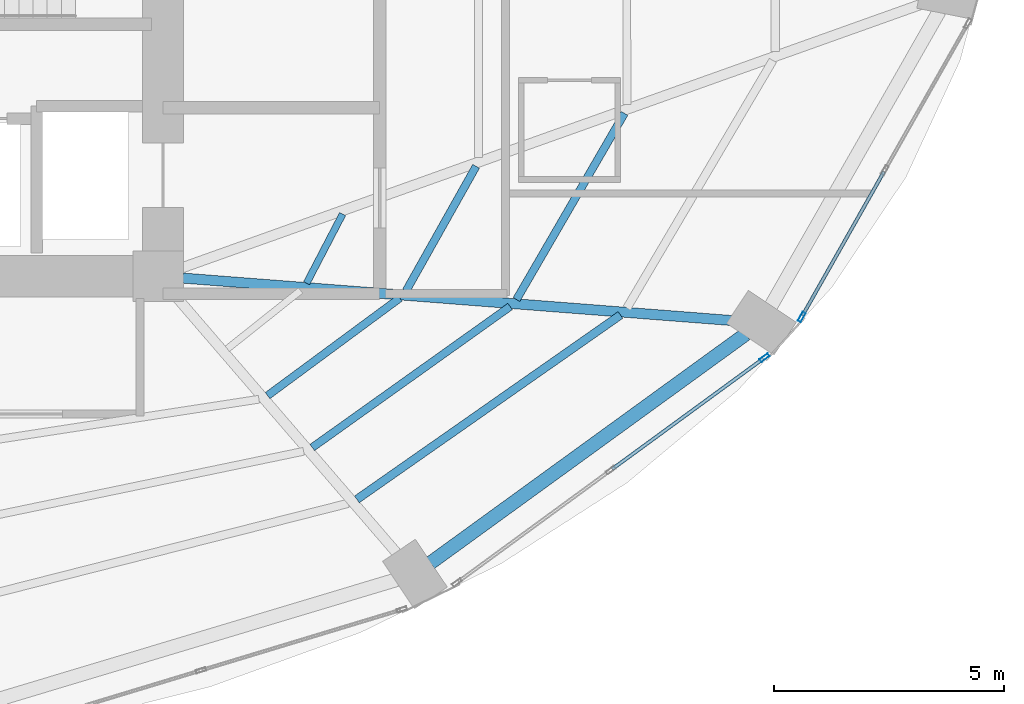
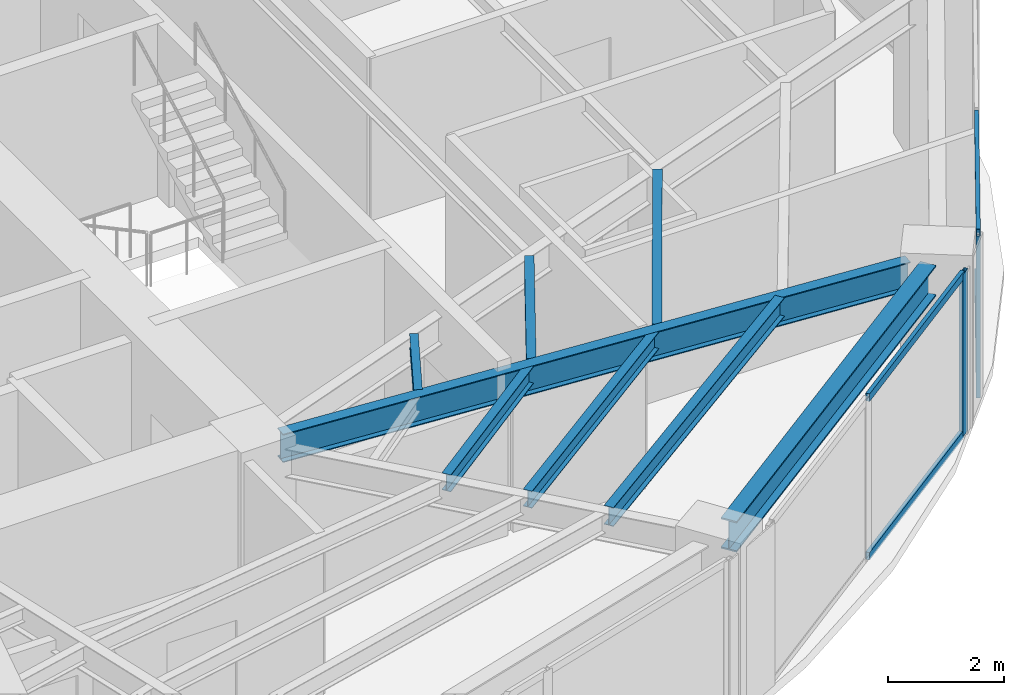
# One storey, part 10 of 25: 8 beams, 6 members, 2 elements without a shape of their own.
"""IFC4 building model written with IfcOpenShell, lengths in metres."""

from ifc_helpers import new_model, si_unit, direction, frame, origin, origin_2d, place, context, subcontext, project, spatial, hollow_rectangle, i_section, extrude, material, layer, layer_set, material_profile, profile_set, type_object, element, aggregate, save


model = new_model("IFC4")

# Units and contexts
model_context = context("Model", 3, precision=1e-05, world=origin(), true_north=direction((0.0, 1.0)))
body_context = subcontext(model_context, "Body", "Model", "MODEL_VIEW")
ifc_project = project(units=[si_unit("LENGTHUNIT", "METRE"), si_unit("AREAUNIT", "SQUARE_METRE"), si_unit("VOLUMEUNIT", "CUBIC_METRE"), si_unit("PLANEANGLEUNIT", "RADIAN"), si_unit("MASSUNIT", "GRAM", prefix="KILO")], contexts=[model_context])

# Site, building, storey
site_placement = place(None, origin())
site = spatial("IfcSite", under=ifc_project, at=site_placement, CompositionType="ELEMENT")
building_placement = place(site_placement, origin())
building = spatial("IfcBuilding", under=site, at=building_placement, Name="Lazwardi Medical Tower", CompositionType="ELEMENT")
storey_placement = place(building_placement, frame((0.0, 0.0, 32.49609375)))
storey = spatial("IfcBuildingStorey", under=building, at=storey_placement, Name="L07", CompositionType="ELEMENT", Elevation=32.49609375)

# Beams
ifc_material_1 = material(Name="Steel S355", Category="steel")
ifc_material_profile_1 = material_profile(ifc_material_1, i_section(OverallWidth=0.300048828125, OverallDepth=0.64990234375, WebThickness=0.01611328125, FlangeThickness=0.031005859375, at=origin_2d()), Name="HEB 650")
ifc_profile_set_1 = profile_set([ifc_material_profile_1], Name="Steel S355")
beam_type_1 = type_object("IfcBeamType", Name="BM-RB-Z1", PredefinedType="BEAM", material=ifc_profile_set_1)
beam_1_placement = place(storey_placement, frame((51.52099609375, 14.16259765625, 3.10302734375), z_axis=(0.80939338516, 0.5872668457, 0.0), x_axis=(-0.5872668457, 0.80939338516, 0.0)))
element("IfcBeam", 1, at=beam_1_placement, inside=storey, type_object=beam_type_1, Name="Ring beam RB-02 B02 L07", PredefinedType="BEAM", context=body_context, shape_type="SweptSolid", body=[
    extrude(i_section(OverallWidth=0.300048828125, OverallDepth=0.64990234375, WebThickness=0.01611328125, FlangeThickness=0.031005859375, at=origin_2d()), origin(), (0.0, 0.0, 1.0), 8.47412109375),
])
ifc_material_profile_2 = material_profile(ifc_material_1, i_section(OverallWidth=0.219970703125, OverallDepth=0.60009765625, WebThickness=0.011962890625, FlangeThickness=0.01904296875, at=origin_2d()), Name="IPE 600")
ifc_profile_set_2 = profile_set([ifc_material_profile_2], Name="Steel S355")
beam_type_2 = type_object("IfcBeamType", Name="BM-RG-W1", PredefinedType="BEAM", material=ifc_profile_set_2)
beam_2_placement = place(storey_placement, frame((58.1416015625, 19.430419921875, 3.1279296875), z_axis=(-0.997024241118, 0.077088667283, 0.0), x_axis=(-0.077088667283, -0.997024241118, 0.0)))
element("IfcBeam", 2, at=beam_2_placement, inside=storey, type_object=beam_type_2, Name="Radial girder RG-02 R03 L07", PredefinedType="BEAM", context=body_context, shape_type="SweptSolid", body=[
    extrude(i_section(OverallWidth=0.219970703125, OverallDepth=0.60009765625, WebThickness=0.011962890625, FlangeThickness=0.01904296875, at=origin_2d()), origin(), (0.0, 0.0, 1.0), 12.044189453125),
])
ifc_material_profile_3 = material_profile(ifc_material_1, i_section(OverallWidth=0.179931640625, OverallDepth=0.39990234375, WebThickness=0.008544921875, FlangeThickness=0.013427734375, at=origin_2d()), Name="IPE 400")
ifc_profile_set_3 = profile_set([ifc_material_profile_3], Name="Steel S355")
beam_type_3 = type_object("IfcBeamType", Name="BM-SJ-01", PredefinedType="JOIST", material=ifc_profile_set_3)
beam_3_placement = place(storey_placement, frame((49.91796875, 15.543701171875, 3.22802734375), z_axis=(0.81942522483, 0.573186096231, 0.0), x_axis=(-0.573186096231, 0.81942522483, 0.0)))
element("IfcBeam", 3, at=beam_3_placement, inside=storey, type_object=beam_type_3, Name="Secondary joist SJ-01 R1 B02 L07", PredefinedType="JOIST", context=body_context, shape_type="SweptSolid", body=[
    extrude(i_section(OverallWidth=0.179931640625, OverallDepth=0.39990234375, WebThickness=0.008544921875, FlangeThickness=0.013427734375, at=origin_2d()), origin(), (0.0, 0.0, 1.0), 6.999755859375),
])
ifc_material_profile_4 = material_profile(ifc_material_1, i_section(OverallWidth=0.169921875, OverallDepth=0.360107421875, WebThickness=0.008056640625, FlangeThickness=0.0126953125, at=origin_2d()), Name="IPE 360")
ifc_profile_set_4 = profile_set([ifc_material_profile_4], Name="Steel S355")
beam_type_4 = type_object("IfcBeamType", Name="BM-SJ-02", PredefinedType="JOIST", material=ifc_profile_set_4)
beam_4_placement = place(storey_placement, frame((48.94677734375, 16.672119140625, 3.247802734375), z_axis=(0.814341377136, 0.580386183058, 0.0), x_axis=(-0.580386183058, 0.814341377136, 0.0)))
element("IfcBeam", 4, at=beam_4_placement, inside=storey, type_object=beam_type_4, Name="Secondary joist SJ-02 R2 B02 L07", PredefinedType="JOIST", context=body_context, shape_type="SweptSolid", body=[
    extrude(i_section(OverallWidth=0.169921875, OverallDepth=0.360107421875, WebThickness=0.008056640625, FlangeThickness=0.0126953125, at=origin_2d()), origin(), (0.0, 0.0, 1.0), 5.28759765625),
])
beam_5_placement = place(storey_placement, frame((53.39111328125, 19.892578125, 3.247802734375), z_axis=(0.501798442848, 0.86498457949, 0.0), x_axis=(-0.86498457949, 0.501798442848, 0.0)))
element("IfcBeam", 5, at=beam_5_placement, inside=storey, type_object=beam_type_4, Name="Secondary joist SJ-02 R2 B03 L07", PredefinedType="JOIST", context=body_context, shape_type="SweptSolid", body=[
    extrude(i_section(OverallWidth=0.169921875, OverallDepth=0.360107421875, WebThickness=0.008056640625, FlangeThickness=0.0126953125, at=origin_2d()), origin(), (0.0, 0.0, 1.0), 4.683349609375),
])
beam_6_placement = place(storey_placement, frame((47.974853515625, 17.80126953125, 3.247802734375), z_axis=(0.804580292353, 0.593843879448, 0.0), x_axis=(-0.593843879448, 0.804580292353, 0.0)))
element("IfcBeam", 6, at=beam_6_placement, inside=storey, type_object=beam_type_4, Name="Secondary joist SJ-02 R3 B02 L07", PredefinedType="JOIST", context=body_context, shape_type="SweptSolid", body=[
    extrude(i_section(OverallWidth=0.169921875, OverallDepth=0.360107421875, WebThickness=0.008056640625, FlangeThickness=0.0126953125, at=origin_2d()), origin(), (0.0, 0.0, 1.0), 3.576416015625),
])
beam_7_placement = place(storey_placement, frame((50.988037109375, 20.0791015625, 3.247802734375), z_axis=(0.489974339037, 0.87173685656, 0.0), x_axis=(-0.87173685656, 0.489974339037, 0.0)))
element("IfcBeam", 7, at=beam_7_placement, inside=storey, type_object=beam_type_4, Name="Secondary joist SJ-02 R3 B03 L07", PredefinedType="JOIST", context=body_context, shape_type="SweptSolid", body=[
    extrude(i_section(OverallWidth=0.169921875, OverallDepth=0.360107421875, WebThickness=0.008056640625, FlangeThickness=0.0126953125, at=origin_2d()), origin(), (0.0, 0.0, 1.0), 3.111328125),
])
ifc_material_profile_5 = material_profile(ifc_material_1, i_section(OverallWidth=0.14990234375, OverallDepth=0.300048828125, WebThickness=0.007080078125, FlangeThickness=0.0107421875, at=origin_2d()), Name="IPE 300")
ifc_profile_set_5 = profile_set([ifc_material_profile_5], Name="Steel S355")
beam_type_5 = type_object("IfcBeamType", Name="BM-SJ-03", PredefinedType="JOIST", material=ifc_profile_set_5)
beam_8_placement = place(storey_placement, frame((48.82373046875, 20.247802734375, 3.27783203125), z_axis=(0.462162985948, 0.88679500135, 0.0), x_axis=(-0.88679500135, 0.462162985948, 0.0)))
element("IfcBeam", 8, at=beam_8_placement, inside=storey, type_object=beam_type_5, Name="Secondary joist SJ-03 R4 B03 L07", PredefinedType="JOIST", context=body_context, shape_type="SweptSolid", body=[
    extrude(i_section(OverallWidth=0.14990234375, OverallDepth=0.300048828125, WebThickness=0.007080078125, FlangeThickness=0.0107421875, at=origin_2d()), origin(), (0.0, 0.0, 1.0), 1.69775390625),
])

# Curtain wall, member
ifc_material_2 = material(Name="Anodised bronze aluminium and solar control glazing", Category="aluminium")
ifc_layer = layer(ifc_material_2, 0.199951171875)
ifc_layer_set = layer_set([ifc_layer], Name="Anodised bronze aluminium and solar control glazing")
curtain_wall_type = type_object("IfcCurtainWallType", Name="CW-SYS-02", PredefinedType="NOTDEFINED", material=ifc_layer_set)
curtain_wall_1_placement = place(storey_placement, origin())
curtain_wall_1 = element("IfcCurtainWall", 9, at=curtain_wall_1_placement, inside=storey, type_object=curtain_wall_type, Name="L07 Unitised bronze curtain wall CW-02", PredefinedType="NOTDEFINED")
ifc_material_3 = material(Name="Anodised bronze aluminium", Category="aluminium")
ifc_material_profile_6 = material_profile(ifc_material_3, hollow_rectangle(XDim=0.074951171875, YDim=0.219970703125, WallThickness=0.00390625, at=origin_2d()), Name="ALU-MULLION 220x75x4")
ifc_profile_set_6 = profile_set([ifc_material_profile_6], Name="Anodised bronze aluminium")
member_type_1 = type_object("IfcMemberType", Name="CW-MUL-01", PredefinedType="MULLION", material=ifc_profile_set_6)
member_1_placement = place(storey_placement, frame((58.790283203125, 18.62744140625, 0.0), z_axis=(0.0, 0.0, 1.0), x_axis=(-0.590289307341, 0.807191757663, 0.0)))
member_1 = element("IfcMember", 10, at=member_1_placement, type_object=member_type_1, Name="CW-02 mullion 3", PredefinedType="MULLION", context=body_context, shape_type="SweptSolid", body=[
    extrude(hollow_rectangle(XDim=0.074951171875, YDim=0.219970703125, WallThickness=0.00390625, at=origin_2d()), origin(), (0.0, 0.0, 1.0), 3.427978515625),
])

curtain_wall_2_placement = place(storey_placement, origin())
curtain_wall_2 = element("IfcCurtainWall", 11, at=curtain_wall_2_placement, inside=storey, type_object=curtain_wall_type, Name="L07 Unitised bronze curtain wall CW-02", PredefinedType="NOTDEFINED")
member_2_placement = place(storey_placement, frame((59.5966796875, 19.511474609375, 0.0), z_axis=(0.0, 0.0, 1.0), x_axis=(-0.870111838823, 0.492854327303, 0.0)))
member_2 = element("IfcMember", 12, at=member_2_placement, type_object=member_type_1, Name="CW-02 mullion 1", PredefinedType="MULLION", context=body_context, shape_type="SweptSolid", body=[
    extrude(hollow_rectangle(XDim=0.074951171875, YDim=0.219970703125, WallThickness=0.00390625, at=origin_2d()), origin(), (0.0, 0.0, 1.0), 3.427978515625),
])

# Member
ifc_material_profile_7 = material_profile(ifc_material_3, hollow_rectangle(XDim=0.074951171875, YDim=0.159912109375, WallThickness=0.00390625, at=origin_2d()), Name="ALU-TRANSOM 160x75x4")
ifc_profile_set_7 = profile_set([ifc_material_profile_7], Name="Anodised bronze aluminium")
member_type_2 = type_object("IfcMemberType", Name="CW-TRN-01", PredefinedType="USERDEFINED", material=ifc_profile_set_7)
member_3_placement = place(storey_placement, frame((55.474609375, 16.202880859375, 0.037353515625), z_axis=(0.807218536774, 0.590252686472, 0.0), x_axis=(-0.590252686472, 0.807218536774, 0.0)))
member_3 = element("IfcMember", 13, at=member_3_placement, type_object=member_type_2, Name="CW-02 transom 2.1", ObjectType="TRANSOM", PredefinedType="USERDEFINED", context=body_context, shape_type="SweptSolid", body=[
    extrude(hollow_rectangle(XDim=0.074951171875, YDim=0.159912109375, WallThickness=0.00390625, at=origin_2d()), origin(), (0.0, 0.0, 1.0), 4.070068359375),
])

member_4_placement = place(storey_placement, frame((55.474609375, 16.202880859375, 3.390380859375), z_axis=(0.807218536774, 0.590252686472, 0.0), x_axis=(-0.590252686472, 0.807218536774, 0.0)))
member_4 = element("IfcMember", 14, at=member_4_placement, type_object=member_type_2, Name="CW-02 transom 2.2", ObjectType="TRANSOM", PredefinedType="USERDEFINED", context=body_context, shape_type="SweptSolid", body=[
    extrude(hollow_rectangle(XDim=0.074951171875, YDim=0.159912109375, WallThickness=0.00390625, at=origin_2d()), origin(), (0.0, 0.0, 1.0), 4.070068359375),
])

aggregate(curtain_wall_1, [member_1, member_3, member_4])

member_5_placement = place(storey_placement, frame((59.615234375, 19.5439453125, 0.037353515625), z_axis=(0.49285148925, 0.870113446365, 0.0), x_axis=(-0.870113446365, 0.49285148925, 0.0)))
member_5 = element("IfcMember", 15, at=member_5_placement, type_object=member_type_2, Name="CW-02 transom 1.1", ObjectType="TRANSOM", PredefinedType="USERDEFINED", context=body_context, shape_type="SweptSolid", body=[
    extrude(hollow_rectangle(XDim=0.074951171875, YDim=0.159912109375, WallThickness=0.00390625, at=origin_2d()), origin(), (0.0, 0.0, 1.0), 3.594970703125),
])

member_6_placement = place(storey_placement, frame((59.615234375, 19.5439453125, 3.390380859375), z_axis=(0.49285148925, 0.870113446365, 0.0), x_axis=(-0.870113446365, 0.49285148925, 0.0)))
member_6 = element("IfcMember", 16, at=member_6_placement, type_object=member_type_2, Name="CW-02 transom 1.2", ObjectType="TRANSOM", PredefinedType="USERDEFINED", context=body_context, shape_type="SweptSolid", body=[
    extrude(hollow_rectangle(XDim=0.074951171875, YDim=0.159912109375, WallThickness=0.00390625, at=origin_2d()), origin(), (0.0, 0.0, 1.0), 3.594970703125),
])

aggregate(curtain_wall_2, [member_2, member_5, member_6])

save(model, "model.ifc")
